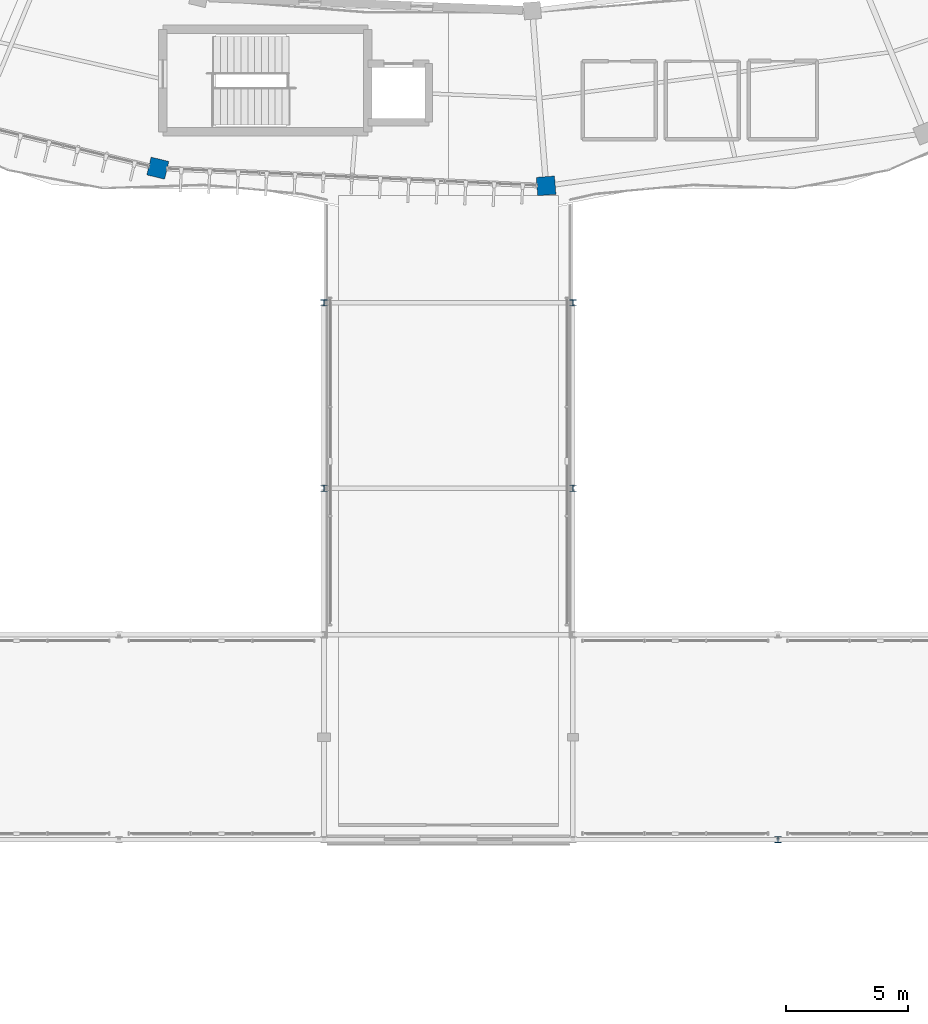
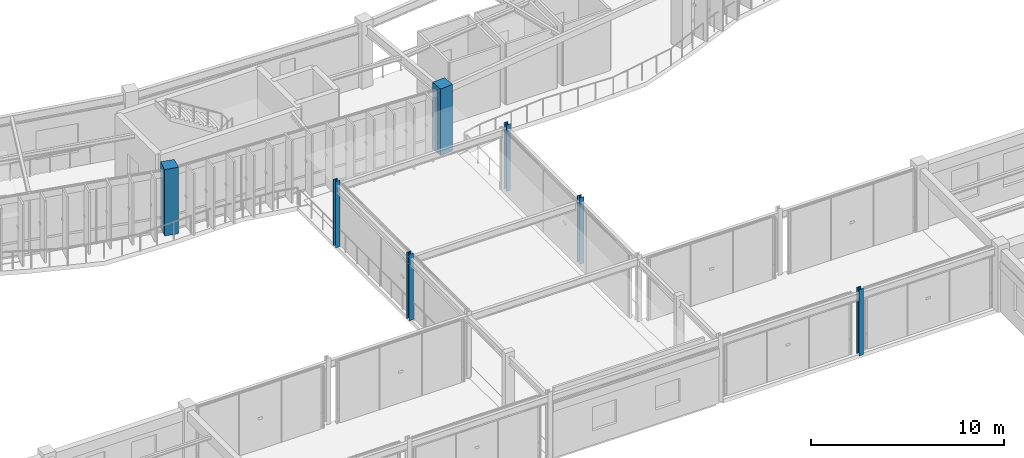
# One storey, part 4 of 152: 7 columns.
"""IFC4 building model written with IfcOpenShell, lengths in metres."""

from ifc_helpers import new_model, si_unit, direction, frame, origin, origin_2d, place, context, subcontext, project, spatial, rectangle, i_section, extrude, material, material_profile, profile_set, type_object, element, save


model = new_model("IFC4")

# Units and contexts
model_context = context("Model", 3, precision=1e-05, world=origin(), true_north=direction((0.0, 1.0)))
body_context = subcontext(model_context, "Body", "Model", "MODEL_VIEW")
ifc_project = project(units=[si_unit("LENGTHUNIT", "METRE"), si_unit("AREAUNIT", "SQUARE_METRE"), si_unit("VOLUMEUNIT", "CUBIC_METRE"), si_unit("PLANEANGLEUNIT", "RADIAN"), si_unit("MASSUNIT", "GRAM", prefix="KILO"), si_unit("THERMODYNAMICTEMPERATUREUNIT", "KELVIN"), si_unit("POWERUNIT", "WATT")], contexts=[model_context])

# Site, building, storey
site_placement = place(None, origin())
site = spatial("IfcSite", under=ifc_project, at=site_placement, CompositionType="ELEMENT")
building_placement = place(site_placement, origin())
building = spatial("IfcBuilding", under=site, at=building_placement, Name="Darbajah Civic Hall", CompositionType="ELEMENT")
storey_placement = place(building_placement, frame((0.0, 0.0, 5.39990234375)))
storey = spatial("IfcBuildingStorey", under=building, at=storey_placement, Name="L01", CompositionType="ELEMENT", Elevation=5.39990234375)

# Columns
ifc_material_1 = material(Name="Concrete C50/60", Category="concrete")
ifc_material_profile_1 = material_profile(ifc_material_1, rectangle(XDim=0.75, YDim=0.75, at=origin_2d()), Name="RC COL 750x750")
ifc_profile_set_1 = profile_set([ifc_material_profile_1], Name="Concrete C50/60")
column_type_1 = type_object("IfcColumnType", Name="RC COL 750x750", PredefinedType="COLUMN", material=ifc_profile_set_1)
for number, where, z_axis, x_axis, name in (
    (1, (77.1943359375, 61.114990234375, 0.0), (0.0, 0.0, 1.0), (-0.233445363856, -0.972369920398, 0.0), "L01 column C-RC750"),
    (2, (93.101318359375, 60.390869140625, 0.0), (0.0, 0.0, 1.0), (0.078459095728, -0.996917333733, 0.0), "L01 column C-RC750"),
):
    element("IfcColumn", number, at=place(storey_placement, frame(where, z_axis=z_axis, x_axis=x_axis)), inside=storey, type_object=column_type_1, Name=name, PredefinedType="COLUMN", context=body_context, shape_type="SweptSolid", body=[
        extrude(rectangle(XDim=0.75, YDim=0.75, at=origin_2d()), origin(), (0.0, 0.0, 1.0), 4.2001953125),
    ])
ifc_material_2 = material(Name="Steel S355JR", Category="steel")
ifc_material_profile_2 = material_profile(ifc_material_2, i_section(OverallWidth=0.25634765625, OverallDepth=0.26025390625, WebThickness=0.01025390625, FlangeThickness=0.017333984375, FilletRadius=0.0126953125, at=origin_2d()), Name="UC 254x254x89")
ifc_profile_set_2 = profile_set([ifc_material_profile_2], Name="Steel S355JR")
column_type_2 = type_object("IfcColumnType", Name="UC 254x254x89", PredefinedType="COLUMN", material=ifc_profile_set_2)
for number, where, z_axis, x_axis, name in (
    (3, (84.0, 48.0, 0.0), (0.0, 0.0, 1.0), (1.0, 0.0, 0.0), "L01 column C-UC254"),
    (4, (84.0, 55.60009765625, 0.0), (0.0, 0.0, 1.0), (1.0, 0.0, 0.0), "L01 column C-UC254"),
    (5, (94.199951171875, 48.0, 0.0), (0.0, 0.0, 1.0), (1.0, 0.0, 0.0), "L01 column C-UC254"),
    (6, (94.199951171875, 55.60009765625, 0.0), (0.0, 0.0, 1.0), (1.0, 0.0, 0.0), "L01 column C-UC254"),
    (7, (102.60009765625, 33.60009765625, 0.0), (0.0, 0.0, 1.0), (1.0, 0.0, 0.0), "L01 column C-UC254"),
):
    element("IfcColumn", number, at=place(storey_placement, frame(where, z_axis=z_axis, x_axis=x_axis)), inside=storey, type_object=column_type_2, Name=name, PredefinedType="COLUMN", context=body_context, shape_type="SweptSolid", body=[
        extrude(i_section(OverallWidth=0.25634765625, OverallDepth=0.26025390625, WebThickness=0.01025390625, FlangeThickness=0.017333984375, FilletRadius=0.0126953125, at=origin_2d()), origin(), (0.0, 0.0, 1.0), 4.2001953125),
    ])

save(model, "model.ifc")
